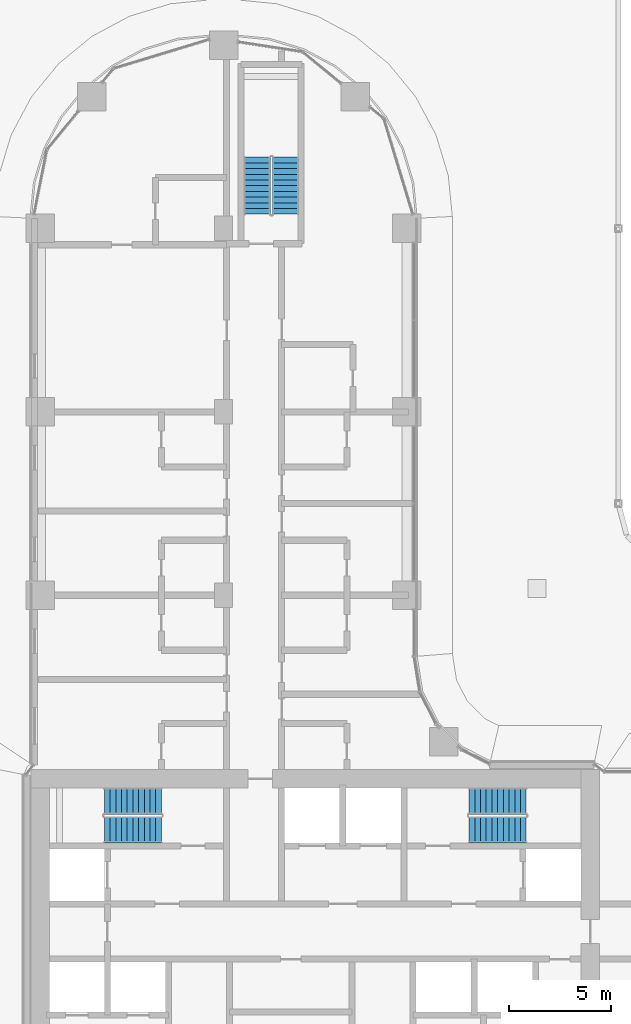
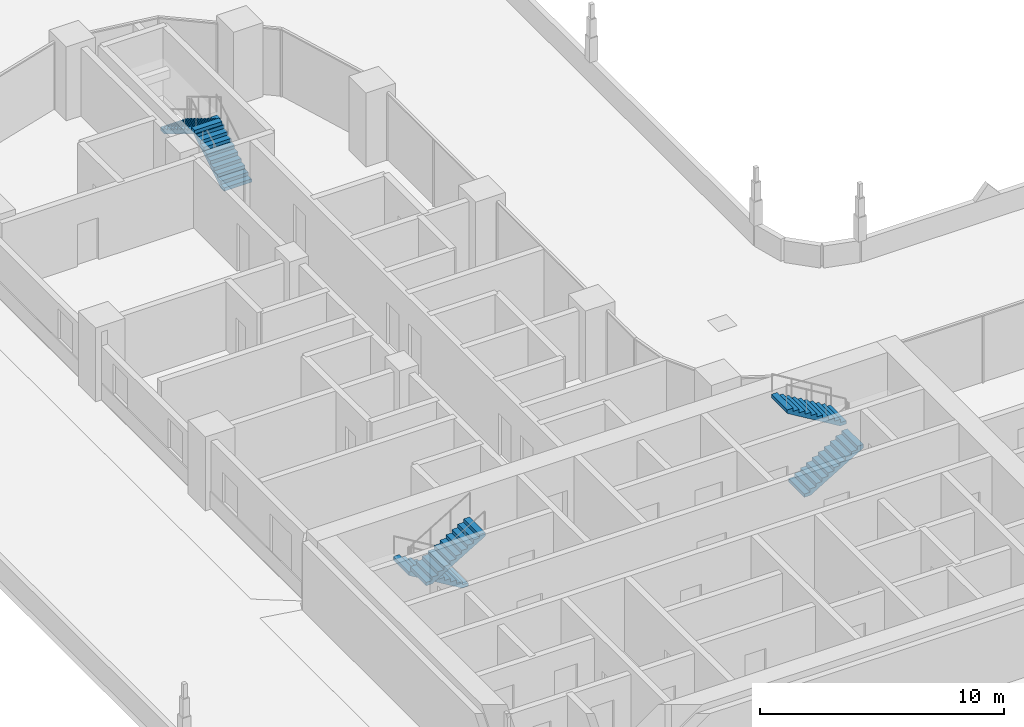
# One storey, part 33 of 51: 6 stair flights, 3 elements without a shape of their own.
"""IFC4 building model written with IfcOpenShell, lengths in metres."""

from ifc_helpers import new_model, si_unit, direction, frame, origin, place, context, subcontext, project, spatial, triangles, source, transform, mapped, material, type_object, element, aggregate, save


model = new_model("IFC4")

# Units and contexts
model_context = context("Model", 3, precision=1e-05, world=origin(), true_north=direction((0.0, 1.0)))
body_context = subcontext(model_context, "Body", "Model", "MODEL_VIEW")
ifc_project = project(units=[si_unit("LENGTHUNIT", "METRE"), si_unit("AREAUNIT", "SQUARE_METRE"), si_unit("VOLUMEUNIT", "CUBIC_METRE"), si_unit("PLANEANGLEUNIT", "RADIAN"), si_unit("MASSUNIT", "GRAM", prefix="KILO")], contexts=[model_context])

# Site, building, storey
site_placement = place(None, origin())
site = spatial("IfcSite", under=ifc_project, at=site_placement, CompositionType="ELEMENT")
building_placement = place(site_placement, origin())
building = spatial("IfcBuilding", under=site, at=building_placement, Name="Ogive Portal Towers", CompositionType="ELEMENT")
storey_placement = place(building_placement, frame((0.0, 0.0, 33.5)))
storey = spatial("IfcBuildingStorey", under=building, at=storey_placement, Name="L06", CompositionType="ELEMENT", Elevation=33.5)

# Stair, stair flights
ifc_material = material(Name="Concrete C40/50", Category="concrete")
stair_type = type_object("IfcStairType", Name="INT-STAIR", PredefinedType="HALF_TURN_STAIR", material=ifc_material)
stair_1_placement = place(storey_placement, origin())
stair_1 = element("IfcStair", 1, at=stair_1_placement, inside=storey, type_object=stair_type, Name="L06 Exit Stair ST-A1", PredefinedType="HALF_TURN_STAIR")
stair_flight_type = type_object("IfcStairFlightType", Name="INT-FLIGHT", PredefinedType="STRAIGHT", material=ifc_material)
shared_shape = source(origin(), body_context, "Body", "Tessellation", [
    triangles([(0.0, -0.650146484375, 0.0), (0.0, -0.376220703125, 0.0), (0.0, -0.192626953125, 0.0), (0.0, -0.081298828125, 0.0), (0.0, -0.024169921875, 0.0), (0.0, -0.003173828125, 0.0), (0.0, 0.0, 0.0), (0.0, 0.0029296875, 0.0), (0.0, 0.02392578125, 0.0), (0.0, 0.0810546875, 0.0), (0.0, 0.1923828125, 0.0), (0.0, 0.3759765625, 0.0), (0.0, 0.64990234375, 0.0), (0.0, -0.650146484375, 0.168212890625), (0.0, -0.376220703125, 0.168212890625), (0.0, -0.192626953125, 0.168212890625), (0.0, -0.081298828125, 0.168212890625), (0.0, -0.024169921875, 0.168212890625), (0.0, -0.003173828125, 0.168212890625), (0.0, 0.0, 0.168212890625), (0.0, 0.0029296875, 0.168212890625), (0.0, 0.02392578125, 0.168212890625), (0.0, 0.0810546875, 0.168212890625), (0.0, 0.1923828125, 0.168212890625), (0.0, 0.3759765625, 0.168212890625), (0.0, 0.64990234375, 0.168212890625), (0.280029296875, -0.650146484375, 0.168212890625), (0.280029296875, -0.376220703125, 0.168212890625), (0.280029296875, -0.192626953125, 0.168212890625), (0.280029296875, -0.081298828125, 0.168212890625), (0.280029296875, -0.024169921875, 0.168212890625), (0.280029296875, -0.003173828125, 0.168212890625), (0.280029296875, 0.0, 0.168212890625), (0.280029296875, 0.0029296875, 0.168212890625), (0.280029296875, 0.02392578125, 0.168212890625), (0.280029296875, 0.0810546875, 0.168212890625), (0.280029296875, 0.1923828125, 0.168212890625), (0.280029296875, 0.3759765625, 0.168212890625), (0.280029296875, 0.64990234375, 0.168212890625), (0.280029296875, -0.650146484375, 0.33642578125), (0.280029296875, -0.376220703125, 0.33642578125), (0.280029296875, -0.192626953125, 0.33642578125), (0.280029296875, -0.081298828125, 0.33642578125), (0.280029296875, -0.024169921875, 0.33642578125), (0.280029296875, -0.003173828125, 0.33642578125), (0.280029296875, 0.0, 0.33642578125), (0.280029296875, 0.0029296875, 0.33642578125), (0.280029296875, 0.02392578125, 0.33642578125), (0.280029296875, 0.0810546875, 0.33642578125), (0.280029296875, 0.1923828125, 0.33642578125), (0.280029296875, 0.3759765625, 0.33642578125), (0.280029296875, 0.64990234375, 0.33642578125), (0.56005859375, -0.650146484375, 0.33642578125), (0.56005859375, -0.376220703125, 0.33642578125), (0.56005859375, -0.192626953125, 0.33642578125), (0.56005859375, -0.081298828125, 0.33642578125), (0.56005859375, -0.024169921875, 0.33642578125), (0.56005859375, -0.003173828125, 0.33642578125), (0.56005859375, 0.0, 0.33642578125), (0.56005859375, 0.0029296875, 0.33642578125), (0.56005859375, 0.02392578125, 0.33642578125), (0.56005859375, 0.0810546875, 0.33642578125), (0.56005859375, 0.1923828125, 0.33642578125), (0.56005859375, 0.3759765625, 0.33642578125), (0.56005859375, 0.64990234375, 0.33642578125), (0.56005859375, -0.650146484375, 0.504638671875), (0.56005859375, -0.376220703125, 0.504638671875), (0.56005859375, -0.192626953125, 0.504638671875), (0.56005859375, -0.081298828125, 0.504638671875), (0.56005859375, -0.024169921875, 0.504638671875), (0.56005859375, -0.003173828125, 0.504638671875), (0.56005859375, 0.0, 0.504638671875), (0.56005859375, 0.0029296875, 0.504638671875), (0.56005859375, 0.02392578125, 0.504638671875), (0.56005859375, 0.0810546875, 0.504638671875), (0.56005859375, 0.1923828125, 0.504638671875), (0.56005859375, 0.3759765625, 0.504638671875), (0.56005859375, 0.64990234375, 0.504638671875), (0.840087890625, -0.650146484375, 0.504638671875), (0.840087890625, -0.376220703125, 0.504638671875), (0.840087890625, -0.192626953125, 0.504638671875), (0.840087890625, -0.081298828125, 0.504638671875), (0.840087890625, -0.024169921875, 0.504638671875), (0.840087890625, -0.003173828125, 0.504638671875), (0.840087890625, 0.0, 0.504638671875), (0.840087890625, 0.0029296875, 0.504638671875), (0.840087890625, 0.02392578125, 0.504638671875), (0.840087890625, 0.0810546875, 0.504638671875), (0.840087890625, 0.1923828125, 0.504638671875), (0.840087890625, 0.3759765625, 0.504638671875), (0.840087890625, 0.64990234375, 0.504638671875), (0.840087890625, -0.650146484375, 0.672607421875), (0.840087890625, -0.376220703125, 0.672607421875), (0.840087890625, -0.192626953125, 0.672607421875), (0.840087890625, -0.081298828125, 0.672607421875), (0.840087890625, -0.024169921875, 0.672607421875), (0.840087890625, -0.003173828125, 0.672607421875), (0.840087890625, 0.0, 0.672607421875), (0.840087890625, 0.0029296875, 0.672607421875), (0.840087890625, 0.02392578125, 0.672607421875), (0.840087890625, 0.0810546875, 0.672607421875), (0.840087890625, 0.1923828125, 0.672607421875), (0.840087890625, 0.3759765625, 0.672607421875), (0.840087890625, 0.64990234375, 0.672607421875), (1.1201171875, -0.650146484375, 0.672607421875), (1.1201171875, -0.376220703125, 0.672607421875), (1.1201171875, -0.192626953125, 0.672607421875), (1.1201171875, -0.081298828125, 0.672607421875), (1.1201171875, -0.024169921875, 0.672607421875), (1.1201171875, -0.003173828125, 0.672607421875), (1.1201171875, 0.0, 0.672607421875), (1.1201171875, 0.0029296875, 0.672607421875), (1.1201171875, 0.02392578125, 0.672607421875), (1.1201171875, 0.0810546875, 0.672607421875), (1.1201171875, 0.1923828125, 0.672607421875), (1.1201171875, 0.3759765625, 0.672607421875), (1.1201171875, 0.64990234375, 0.672607421875), (1.1201171875, -0.650146484375, 0.8408203125), (1.1201171875, -0.376220703125, 0.8408203125), (1.1201171875, -0.192626953125, 0.8408203125), (1.1201171875, -0.081298828125, 0.8408203125), (1.1201171875, -0.024169921875, 0.8408203125), (1.1201171875, -0.003173828125, 0.8408203125), (1.1201171875, 0.0, 0.8408203125), (1.1201171875, 0.0029296875, 0.8408203125), (1.1201171875, 0.02392578125, 0.8408203125), (1.1201171875, 0.0810546875, 0.8408203125), (1.1201171875, 0.1923828125, 0.8408203125), (1.1201171875, 0.3759765625, 0.8408203125), (1.1201171875, 0.64990234375, 0.8408203125), (1.39990234375, -0.650146484375, 0.8408203125), (1.39990234375, -0.376220703125, 0.8408203125), (1.39990234375, -0.192626953125, 0.8408203125), (1.39990234375, -0.081298828125, 0.8408203125), (1.39990234375, -0.024169921875, 0.8408203125), (1.39990234375, -0.003173828125, 0.8408203125), (1.39990234375, 0.0, 0.8408203125), (1.39990234375, 0.0029296875, 0.8408203125), (1.39990234375, 0.02392578125, 0.8408203125), (1.39990234375, 0.0810546875, 0.8408203125), (1.39990234375, 0.1923828125, 0.8408203125), (1.39990234375, 0.3759765625, 0.8408203125), (1.39990234375, 0.64990234375, 0.8408203125), (1.39990234375, -0.650146484375, 1.009033203125), (1.39990234375, -0.376220703125, 1.009033203125), (1.39990234375, -0.192626953125, 1.009033203125), (1.39990234375, -0.081298828125, 1.009033203125), (1.39990234375, -0.024169921875, 1.009033203125), (1.39990234375, -0.003173828125, 1.009033203125), (1.39990234375, 0.0, 1.009033203125), (1.39990234375, 0.0029296875, 1.009033203125), (1.39990234375, 0.02392578125, 1.009033203125), (1.39990234375, 0.0810546875, 1.009033203125), (1.39990234375, 0.1923828125, 1.009033203125), (1.39990234375, 0.3759765625, 1.009033203125), (1.39990234375, 0.64990234375, 1.009033203125), (1.679931640625, -0.650146484375, 1.009033203125), (1.679931640625, -0.376220703125, 1.009033203125), (1.679931640625, -0.192626953125, 1.009033203125), (1.679931640625, -0.081298828125, 1.009033203125), (1.679931640625, -0.024169921875, 1.009033203125), (1.679931640625, -0.003173828125, 1.009033203125), (1.679931640625, 0.0, 1.009033203125), (1.679931640625, 0.0029296875, 1.009033203125), (1.679931640625, 0.02392578125, 1.009033203125), (1.679931640625, 0.0810546875, 1.009033203125), (1.679931640625, 0.1923828125, 1.009033203125), (1.679931640625, 0.3759765625, 1.009033203125), (1.679931640625, 0.64990234375, 1.009033203125), (1.679931640625, -0.650146484375, 1.17724609375), (1.679931640625, -0.376220703125, 1.17724609375), (1.679931640625, -0.192626953125, 1.17724609375), (1.679931640625, -0.081298828125, 1.17724609375), (1.679931640625, -0.024169921875, 1.17724609375), (1.679931640625, -0.003173828125, 1.17724609375), (1.679931640625, 0.0, 1.17724609375), (1.679931640625, 0.0029296875, 1.17724609375), (1.679931640625, 0.02392578125, 1.17724609375), (1.679931640625, 0.0810546875, 1.17724609375), (1.679931640625, 0.1923828125, 1.17724609375), (1.679931640625, 0.3759765625, 1.17724609375), (1.679931640625, 0.64990234375, 1.17724609375), (1.9599609375, -0.650146484375, 1.17724609375), (1.9599609375, -0.376220703125, 1.17724609375), (1.9599609375, -0.192626953125, 1.17724609375), (1.9599609375, -0.081298828125, 1.17724609375), (1.9599609375, -0.024169921875, 1.17724609375), (1.9599609375, -0.003173828125, 1.17724609375), (1.9599609375, 0.0, 1.17724609375), (1.9599609375, 0.0029296875, 1.17724609375), (1.9599609375, 0.02392578125, 1.17724609375), (1.9599609375, 0.0810546875, 1.17724609375), (1.9599609375, 0.1923828125, 1.17724609375), (1.9599609375, 0.3759765625, 1.17724609375), (1.9599609375, 0.64990234375, 1.17724609375), (1.9599609375, -0.650146484375, 1.345458984375), (1.9599609375, -0.376220703125, 1.345458984375), (1.9599609375, -0.192626953125, 1.345458984375), (1.9599609375, -0.081298828125, 1.345458984375), (1.9599609375, -0.024169921875, 1.345458984375), (1.9599609375, -0.003173828125, 1.345458984375), (1.9599609375, 0.0, 1.345458984375), (1.9599609375, 0.0029296875, 1.345458984375), (1.9599609375, 0.02392578125, 1.345458984375), (1.9599609375, 0.0810546875, 1.345458984375), (1.9599609375, 0.1923828125, 1.345458984375), (1.9599609375, 0.3759765625, 1.345458984375), (1.9599609375, 0.64990234375, 1.345458984375), (2.239990234375, -0.650146484375, 1.345458984375), (2.239990234375, -0.376220703125, 1.345458984375), (2.239990234375, -0.192626953125, 1.345458984375), (2.239990234375, -0.081298828125, 1.345458984375), (2.239990234375, -0.024169921875, 1.345458984375), (2.239990234375, -0.003173828125, 1.345458984375), (2.239990234375, 0.0, 1.345458984375), (2.239990234375, 0.0029296875, 1.345458984375), (2.239990234375, 0.02392578125, 1.345458984375), (2.239990234375, 0.0810546875, 1.345458984375), (2.239990234375, 0.1923828125, 1.345458984375), (2.239990234375, 0.3759765625, 1.345458984375), (2.239990234375, 0.64990234375, 1.345458984375), (2.239990234375, -0.650146484375, 1.513671875), (2.239990234375, -0.376220703125, 1.513671875), (2.239990234375, -0.192626953125, 1.513671875), (2.239990234375, -0.081298828125, 1.513671875), (2.239990234375, -0.024169921875, 1.513671875), (2.239990234375, -0.003173828125, 1.513671875), (2.239990234375, 0.0, 1.513671875), (2.239990234375, 0.0029296875, 1.513671875), (2.239990234375, 0.02392578125, 1.513671875), (2.239990234375, 0.0810546875, 1.513671875), (2.239990234375, 0.1923828125, 1.513671875), (2.239990234375, 0.3759765625, 1.513671875), (2.239990234375, 0.64990234375, 1.513671875), (2.52001953125, -0.650146484375, 1.513671875), (2.52001953125, -0.376220703125, 1.513671875), (2.52001953125, -0.192626953125, 1.513671875), (2.52001953125, -0.081298828125, 1.513671875), (2.52001953125, -0.024169921875, 1.513671875), (2.52001953125, -0.003173828125, 1.513671875), (2.52001953125, 0.0, 1.513671875), (2.52001953125, 0.0029296875, 1.513671875), (2.52001953125, 0.02392578125, 1.513671875), (2.52001953125, 0.0810546875, 1.513671875), (2.52001953125, 0.1923828125, 1.513671875), (2.52001953125, 0.3759765625, 1.513671875), (2.52001953125, 0.64990234375, 1.513671875), (2.52001953125, -0.650146484375, 1.681884765625), (2.52001953125, -0.376220703125, 1.681884765625), (2.52001953125, -0.192626953125, 1.681884765625), (2.52001953125, -0.081298828125, 1.681884765625), (2.52001953125, -0.024169921875, 1.681884765625), (2.52001953125, -0.003173828125, 1.681884765625), (2.52001953125, 0.0, 1.681884765625), (2.52001953125, 0.0029296875, 1.681884765625), (2.52001953125, 0.02392578125, 1.681884765625), (2.52001953125, 0.0810546875, 1.681884765625), (2.52001953125, 0.1923828125, 1.681884765625), (2.52001953125, 0.3759765625, 1.681884765625), (2.52001953125, 0.64990234375, 1.681884765625), (2.800048828125, -0.650146484375, 1.681884765625), (2.800048828125, -0.376220703125, 1.681884765625), (2.800048828125, -0.192626953125, 1.681884765625), (2.800048828125, -0.081298828125, 1.681884765625), (2.800048828125, -0.024169921875, 1.681884765625), (2.800048828125, -0.003173828125, 1.681884765625), (2.800048828125, 0.0, 1.681884765625), (2.800048828125, 0.0029296875, 1.681884765625), (2.800048828125, 0.02392578125, 1.681884765625), (2.800048828125, 0.0810546875, 1.681884765625), (2.800048828125, 0.1923828125, 1.681884765625), (2.800048828125, 0.3759765625, 1.681884765625), (2.800048828125, 0.64990234375, 1.681884765625), (2.800048828125, -0.650146484375, 1.5068359375), (2.800048828125, -0.376220703125, 1.5068359375), (2.800048828125, -0.192626953125, 1.5068359375), (2.800048828125, -0.081298828125, 1.5068359375), (2.800048828125, -0.024169921875, 1.5068359375), (2.800048828125, -0.003173828125, 1.5068359375), (2.800048828125, 0.0, 1.5068359375), (2.800048828125, 0.0029296875, 1.5068359375), (2.800048828125, 0.02392578125, 1.5068359375), (2.800048828125, 0.0810546875, 1.5068359375), (2.800048828125, 0.1923828125, 1.5068359375), (2.800048828125, 0.3759765625, 1.5068359375), (2.800048828125, 0.64990234375, 1.5068359375), (0.291015625, -0.650146484375, 0.0), (0.291015625, -0.376220703125, 0.0), (0.291015625, -0.192626953125, 0.0), (0.291015625, -0.081298828125, 0.0), (0.291015625, -0.024169921875, 0.0), (0.291015625, -0.003173828125, 0.0), (0.291015625, 0.0, 0.0), (0.291015625, 0.0029296875, 0.0), (0.291015625, 0.02392578125, 0.0), (0.291015625, 0.0810546875, 0.0), (0.291015625, 0.1923828125, 0.0), (0.291015625, 0.3759765625, 0.0), (0.291015625, 0.64990234375, 0.0)], [[1, 14, 15], [1, 15, 2], [2, 15, 16], [2, 16, 3], [3, 16, 17], [3, 17, 4], [4, 17, 18], [4, 18, 5], [5, 18, 19], [5, 19, 6], [6, 19, 20], [6, 20, 7], [7, 20, 21], [7, 21, 8], [8, 21, 22], [8, 22, 9], [9, 22, 23], [9, 23, 10], [10, 23, 24], [10, 24, 11], [11, 24, 25], [11, 25, 12], [12, 25, 26], [12, 26, 13], [14, 27, 28], [14, 28, 15], [15, 28, 29], [15, 29, 16], [16, 29, 30], [16, 30, 17], [17, 30, 31], [17, 31, 18], [18, 31, 32], [18, 32, 19], [19, 32, 33], [19, 33, 20], [20, 33, 34], [20, 34, 21], [21, 34, 35], [21, 35, 22], [22, 35, 36], [22, 36, 23], [23, 36, 37], [23, 37, 24], [24, 37, 38], [24, 38, 25], [25, 38, 39], [25, 39, 26], [27, 40, 41], [27, 41, 28], [28, 41, 42], [28, 42, 29], [29, 42, 43], [29, 43, 30], [30, 43, 44], [30, 44, 31], [31, 44, 45], [31, 45, 32], [32, 45, 46], [32, 46, 33], [33, 46, 47], [33, 47, 34], [34, 47, 48], [34, 48, 35], [35, 48, 49], [35, 49, 36], [36, 49, 50], [36, 50, 37], [37, 50, 51], [37, 51, 38], [38, 51, 52], [38, 52, 39], [40, 53, 54], [40, 54, 41], [41, 54, 55], [41, 55, 42], [42, 55, 56], [42, 56, 43], [43, 56, 57], [43, 57, 44], [44, 57, 58], [44, 58, 45], [45, 58, 59], [45, 59, 46], [46, 59, 60], [46, 60, 47], [47, 60, 61], [47, 61, 48], [48, 61, 62], [48, 62, 49], [49, 62, 63], [49, 63, 50], [50, 63, 64], [50, 64, 51], [51, 64, 65], [51, 65, 52], [53, 66, 67], [53, 67, 54], [54, 67, 68], [54, 68, 55], [55, 68, 69], [55, 69, 56], [56, 69, 70], [56, 70, 57], [57, 70, 71], [57, 71, 58], [58, 71, 72], [58, 72, 59], [59, 72, 73], [59, 73, 60], [60, 73, 74], [60, 74, 61], [61, 74, 75], [61, 75, 62], [62, 75, 76], [62, 76, 63], [63, 76, 77], [63, 77, 64], [64, 77, 78], [64, 78, 65], [66, 79, 80], [66, 80, 67], [67, 80, 81], [67, 81, 68], [68, 81, 82], [68, 82, 69], [69, 82, 83], [69, 83, 70], [70, 83, 84], [70, 84, 71], [71, 84, 85], [71, 85, 72], [72, 85, 86], [72, 86, 73], [73, 86, 87], [73, 87, 74], [74, 87, 88], [74, 88, 75], [75, 88, 89], [75, 89, 76], [76, 89, 90], [76, 90, 77], [77, 90, 91], [77, 91, 78], [79, 92, 93], [79, 93, 80], [80, 93, 94], [80, 94, 81], [81, 94, 95], [81, 95, 82], [82, 95, 96], [82, 96, 83], [83, 96, 97], [83, 97, 84], [84, 97, 98], [84, 98, 85], [85, 98, 99], [85, 99, 86], [86, 99, 100], [86, 100, 87], [87, 100, 101], [87, 101, 88], [88, 101, 102], [88, 102, 89], [89, 102, 103], [89, 103, 90], [90, 103, 104], [90, 104, 91], [92, 105, 106], [92, 106, 93], [93, 106, 107], [93, 107, 94], [94, 107, 108], [94, 108, 95], [95, 108, 109], [95, 109, 96], [96, 109, 110], [96, 110, 97], [97, 110, 111], [97, 111, 98], [98, 111, 112], [98, 112, 99], [99, 112, 113], [99, 113, 100], [100, 113, 114], [100, 114, 101], [101, 114, 115], [101, 115, 102], [102, 115, 116], [102, 116, 103], [103, 116, 117], [103, 117, 104], [105, 118, 119], [105, 119, 106], [106, 119, 120], [106, 120, 107], [107, 120, 121], [107, 121, 108], [108, 121, 122], [108, 122, 109], [109, 122, 123], [109, 123, 110], [110, 123, 124], [110, 124, 111], [111, 124, 125], [111, 125, 112], [112, 125, 126], [112, 126, 113], [113, 126, 127], [113, 127, 114], [114, 127, 128], [114, 128, 115], [115, 128, 129], [115, 129, 116], [116, 129, 130], [116, 130, 117], [118, 131, 132], [118, 132, 119], [119, 132, 133], [119, 133, 120], [120, 133, 134], [120, 134, 121], [121, 134, 135], [121, 135, 122], [122, 135, 136], [122, 136, 123], [123, 136, 137], [123, 137, 124], [124, 137, 138], [124, 138, 125], [125, 138, 139], [125, 139, 126], [126, 139, 140], [126, 140, 127], [127, 140, 141], [127, 141, 128], [128, 141, 142], [128, 142, 129], [129, 142, 143], [129, 143, 130], [131, 144, 145], [131, 145, 132], [132, 145, 146], [132, 146, 133], [133, 146, 147], [133, 147, 134], [134, 147, 148], [134, 148, 135], [135, 148, 149], [135, 149, 136], [136, 149, 150], [136, 150, 137], [137, 150, 151], [137, 151, 138], [138, 151, 152], [138, 152, 139], [139, 152, 153], [139, 153, 140], [140, 153, 154], [140, 154, 141], [141, 154, 155], [141, 155, 142], [142, 155, 156], [142, 156, 143], [144, 157, 158], [144, 158, 145], [145, 158, 159], [145, 159, 146], [146, 159, 160], [146, 160, 147], [147, 160, 161], [147, 161, 148], [148, 161, 162], [148, 162, 149], [149, 162, 163], [149, 163, 150], [150, 163, 164], [150, 164, 151], [151, 164, 165], [151, 165, 152], [152, 165, 166], [152, 166, 153], [153, 166, 167], [153, 167, 154], [154, 167, 168], [154, 168, 155], [155, 168, 169], [155, 169, 156], [157, 170, 171], [157, 171, 158], [158, 171, 172], [158, 172, 159], [159, 172, 173], [159, 173, 160], [160, 173, 174], [160, 174, 161], [161, 174, 175], [161, 175, 162], [162, 175, 176], [162, 176, 163], [163, 176, 177], [163, 177, 164], [164, 177, 178], [164, 178, 165], [165, 178, 179], [165, 179, 166], [166, 179, 180], [166, 180, 167], [167, 180, 181], [167, 181, 168], [168, 181, 182], [168, 182, 169], [170, 183, 184], [170, 184, 171], [171, 184, 185], [171, 185, 172], [172, 185, 186], [172, 186, 173], [173, 186, 187], [173, 187, 174], [174, 187, 188], [174, 188, 175], [175, 188, 189], [175, 189, 176], [176, 189, 190], [176, 190, 177], [177, 190, 191], [177, 191, 178], [178, 191, 192], [178, 192, 179], [179, 192, 193], [179, 193, 180], [180, 193, 194], [180, 194, 181], [181, 194, 195], [181, 195, 182], [183, 196, 197], [183, 197, 184], [184, 197, 198], [184, 198, 185], [185, 198, 199], [185, 199, 186], [186, 199, 200], [186, 200, 187], [187, 200, 201], [187, 201, 188], [188, 201, 202], [188, 202, 189], [189, 202, 203], [189, 203, 190], [190, 203, 204], [190, 204, 191], [191, 204, 205], [191, 205, 192], [192, 205, 206], [192, 206, 193], [193, 206, 207], [193, 207, 194], [194, 207, 208], [194, 208, 195], [196, 209, 210], [196, 210, 197], [197, 210, 211], [197, 211, 198], [198, 211, 212], [198, 212, 199], [199, 212, 213], [199, 213, 200], [200, 213, 214], [200, 214, 201], [201, 214, 215], [201, 215, 202], [202, 215, 216], [202, 216, 203], [203, 216, 217], [203, 217, 204], [204, 217, 218], [204, 218, 205], [205, 218, 219], [205, 219, 206], [206, 219, 220], [206, 220, 207], [207, 220, 221], [207, 221, 208], [209, 222, 223], [209, 223, 210], [210, 223, 224], [210, 224, 211], [211, 224, 225], [211, 225, 212], [212, 225, 226], [212, 226, 213], [213, 226, 227], [213, 227, 214], [214, 227, 228], [214, 228, 215], [215, 228, 229], [215, 229, 216], [216, 229, 230], [216, 230, 217], [217, 230, 231], [217, 231, 218], [218, 231, 232], [218, 232, 219], [219, 232, 233], [219, 233, 220], [220, 233, 234], [220, 234, 221], [222, 235, 236], [222, 236, 223], [223, 236, 237], [223, 237, 224], [224, 237, 238], [224, 238, 225], [225, 238, 239], [225, 239, 226], [226, 239, 240], [226, 240, 227], [227, 240, 241], [227, 241, 228], [228, 241, 242], [228, 242, 229], [229, 242, 243], [229, 243, 230], [230, 243, 244], [230, 244, 231], [231, 244, 245], [231, 245, 232], [232, 245, 246], [232, 246, 233], [233, 246, 247], [233, 247, 234], [235, 248, 249], [235, 249, 236], [236, 249, 250], [236, 250, 237], [237, 250, 251], [237, 251, 238], [238, 251, 252], [238, 252, 239], [239, 252, 253], [239, 253, 240], [240, 253, 254], [240, 254, 241], [241, 254, 255], [241, 255, 242], [242, 255, 256], [242, 256, 243], [243, 256, 257], [243, 257, 244], [244, 257, 258], [244, 258, 245], [245, 258, 259], [245, 259, 246], [246, 259, 260], [246, 260, 247], [248, 261, 262], [248, 262, 249], [249, 262, 263], [249, 263, 250], [250, 263, 264], [250, 264, 251], [251, 264, 265], [251, 265, 252], [252, 265, 266], [252, 266, 253], [253, 266, 267], [253, 267, 254], [254, 267, 268], [254, 268, 255], [255, 268, 269], [255, 269, 256], [256, 269, 270], [256, 270, 257], [257, 270, 271], [257, 271, 258], [258, 271, 272], [258, 272, 259], [259, 272, 273], [259, 273, 260], [261, 274, 275], [261, 275, 262], [262, 275, 276], [262, 276, 263], [263, 276, 277], [263, 277, 264], [264, 277, 278], [264, 278, 265], [265, 278, 279], [265, 279, 266], [266, 279, 280], [266, 280, 267], [267, 280, 281], [267, 281, 268], [268, 281, 282], [268, 282, 269], [269, 282, 283], [269, 283, 270], [270, 283, 284], [270, 284, 271], [271, 284, 285], [271, 285, 272], [272, 285, 286], [272, 286, 273], [274, 287, 288], [274, 288, 275], [275, 288, 289], [275, 289, 276], [276, 289, 290], [276, 290, 277], [277, 290, 291], [277, 291, 278], [278, 291, 292], [278, 292, 279], [279, 292, 293], [279, 293, 280], [280, 293, 294], [280, 294, 281], [281, 294, 295], [281, 295, 282], [282, 295, 296], [282, 296, 283], [283, 296, 297], [283, 297, 284], [284, 297, 298], [284, 298, 285], [285, 298, 299], [285, 299, 286], [287, 1, 2], [287, 2, 288], [288, 2, 3], [288, 3, 289], [289, 3, 4], [289, 4, 290], [290, 4, 5], [290, 5, 291], [291, 5, 6], [291, 6, 292], [292, 6, 7], [292, 7, 293], [293, 7, 8], [293, 8, 294], [294, 8, 9], [294, 9, 295], [295, 9, 10], [295, 10, 296], [296, 10, 11], [296, 11, 297], [297, 11, 12], [297, 12, 298], [298, 12, 13], [298, 13, 299], [1, 287, 274], [13, 286, 299], [274, 261, 248], [286, 260, 273], [274, 248, 235], [286, 247, 260], [274, 235, 222], [286, 234, 247], [274, 222, 209], [286, 221, 234], [209, 196, 183], [221, 195, 208], [274, 209, 183], [286, 195, 221], [183, 170, 157], [195, 169, 182], [274, 183, 157], [286, 169, 195], [157, 144, 131], [169, 143, 156], [274, 157, 131], [286, 143, 169], [131, 118, 105], [143, 117, 130], [274, 131, 105], [286, 117, 143], [1, 274, 105], [13, 117, 286], [105, 92, 79], [117, 91, 104], [79, 66, 53], [91, 65, 78], [105, 79, 53], [117, 65, 91], [53, 40, 27], [65, 39, 52], [105, 53, 27], [117, 39, 65], [1, 105, 27], [13, 39, 117], [27, 14, 1], [39, 13, 26]], closed=True),
])
stair_flight_1_placement = place(storey_placement, frame((37.449951171875, 38.39990234375, 0.0), z_axis=(0.0, 0.0, 1.0), x_axis=(-1.0, 0.0, 0.0)))
stair_flight_1 = element("IfcStairFlight", 2, at=stair_flight_1_placement, type_object=stair_flight_type, Name="ST-A1 flight 1", NumberOfRisers=11, NumberOfTreads=10, PredefinedType="STRAIGHT", RiserHeight=0.168181818, TreadLength=0.28, context=body_context, shape_type="MappedRepresentation", body=[
    mapped(shared_shape, transform((0.0, 0.0, 0.0), scale=1.0)),
])
stair_flight_2_placement = place(storey_placement, frame((34.64990234375, 37.0, 1.85009765625), z_axis=(0.0, 0.0, 1.0), x_axis=(1.0, 0.0, 0.0)))
stair_flight_2 = element("IfcStairFlight", 3, at=stair_flight_2_placement, type_object=stair_flight_type, Name="ST-A1 flight 2", NumberOfRisers=11, NumberOfTreads=10, PredefinedType="STRAIGHT", RiserHeight=0.168181818, TreadLength=0.28, context=body_context, shape_type="MappedRepresentation", body=[
    mapped(shared_shape, transform((0.0, 0.0, 0.0), scale=1.0)),
])
aggregate(stair_1, [stair_flight_1, stair_flight_2])

stair_2_placement = place(storey_placement, origin())
stair_2 = element("IfcStair", 4, at=stair_2_placement, inside=storey, type_object=stair_type, Name="L06 Exit Stair ST-A2", PredefinedType="HALF_TURN_STAIR")
stair_flight_3_placement = place(storey_placement, frame((52.550048828125, 37.0, 0.0), z_axis=(0.0, 0.0, 1.0), x_axis=(1.0, 0.0, 0.0)))
stair_flight_3 = element("IfcStairFlight", 5, at=stair_flight_3_placement, type_object=stair_flight_type, Name="ST-A2 flight 1", NumberOfRisers=11, NumberOfTreads=10, PredefinedType="STRAIGHT", RiserHeight=0.168181818, TreadLength=0.28, context=body_context, shape_type="MappedRepresentation", body=[
    mapped(shared_shape, transform((0.0, 0.0, 0.0), scale=1.0)),
])
stair_flight_4_placement = place(storey_placement, frame((55.35009765625, 38.39990234375, 1.85009765625), z_axis=(0.0, 0.0, 1.0), x_axis=(-1.0, 0.0, 0.0)))
stair_flight_4 = element("IfcStairFlight", 6, at=stair_flight_4_placement, type_object=stair_flight_type, Name="ST-A2 flight 2", NumberOfRisers=11, NumberOfTreads=10, PredefinedType="STRAIGHT", RiserHeight=0.168181818, TreadLength=0.28, context=body_context, shape_type="MappedRepresentation", body=[
    mapped(shared_shape, transform((0.0, 0.0, 0.0), scale=1.0)),
])
aggregate(stair_2, [stair_flight_3, stair_flight_4])

stair_3_placement = place(storey_placement, origin())
stair_3 = element("IfcStair", 7, at=stair_3_placement, inside=storey, type_object=stair_type, Name="L06 Exit Stair ST-A3", PredefinedType="HALF_TURN_STAIR")
stair_flight_5_placement = place(storey_placement, frame((43.550048828125, 67.199951171875, 0.0), z_axis=(0.0, 0.0, 1.0), x_axis=(0.0, 1.0, 0.0)))
stair_flight_5 = element("IfcStairFlight", 8, at=stair_flight_5_placement, type_object=stair_flight_type, Name="ST-A3 flight 1", NumberOfRisers=11, NumberOfTreads=10, PredefinedType="STRAIGHT", RiserHeight=0.168181818, TreadLength=0.28, context=body_context, shape_type="MappedRepresentation", body=[
    mapped(shared_shape, transform((0.0, 0.0, 0.0), scale=1.0)),
])
stair_flight_6_placement = place(storey_placement, frame((42.14990234375, 70.0, 1.85009765625), z_axis=(0.0, 0.0, 1.0), x_axis=(0.0, -1.0, 0.0)))
stair_flight_6 = element("IfcStairFlight", 9, at=stair_flight_6_placement, type_object=stair_flight_type, Name="ST-A3 flight 2", NumberOfRisers=11, NumberOfTreads=10, PredefinedType="STRAIGHT", RiserHeight=0.168181818, TreadLength=0.28, context=body_context, shape_type="MappedRepresentation", body=[
    mapped(shared_shape, transform((0.0, 0.0, 0.0), scale=1.0)),
])
aggregate(stair_3, [stair_flight_5, stair_flight_6])

save(model, "model.ifc")
